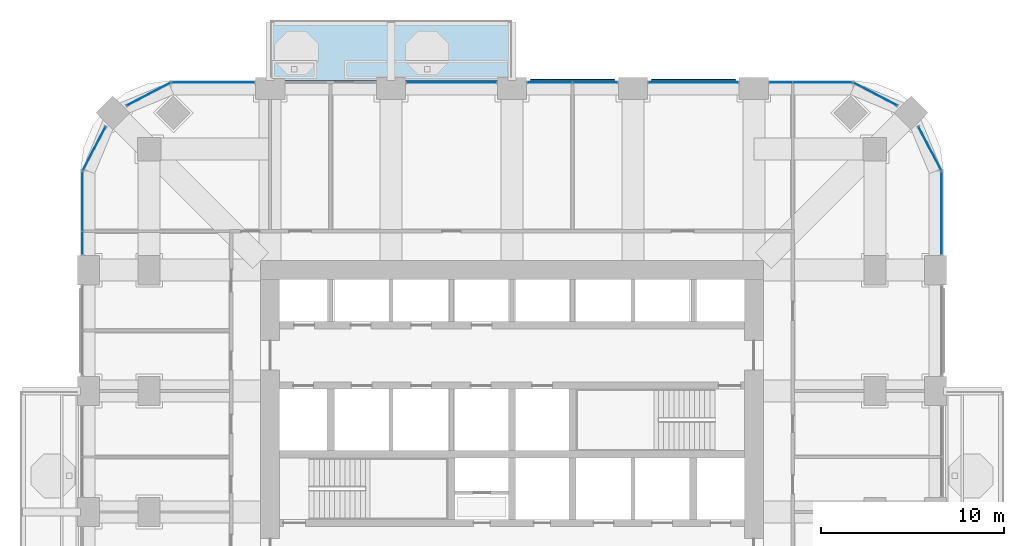
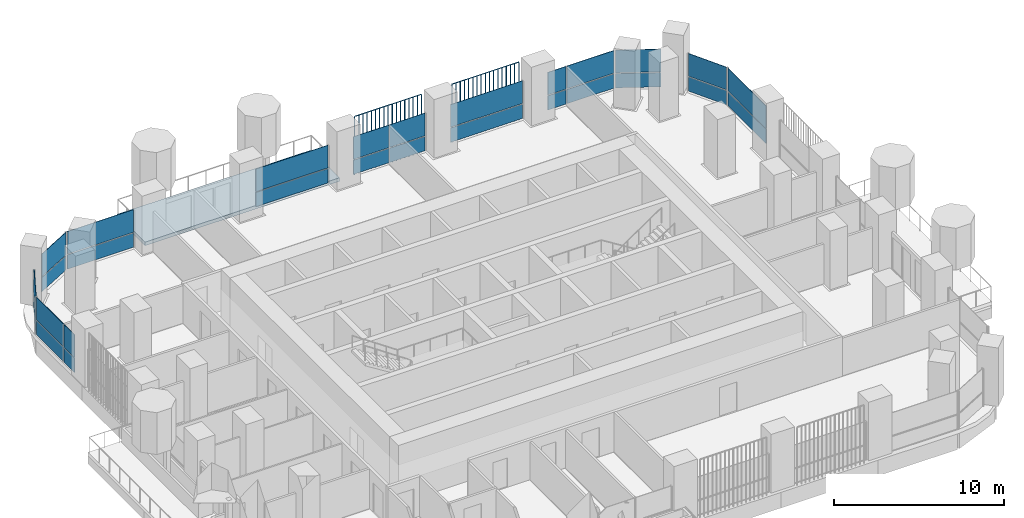
# One storey, part 10 of 19: 30 plates, 1 slab, 11 elements without a shape of their own.
"""IFC4 building model written with IfcOpenShell, lengths in metres."""

from ifc_helpers import new_model, si_unit, direction, frame, origin, origin_2d, place, context, subcontext, project, spatial, polyline, rectangle, outline, extrude, material, layer, layer_set, type_object, element, aggregate, save


model = new_model("IFC4")

# Units and contexts
model_context = context("Model", 3, precision=1e-05, world=origin(), true_north=direction((0.0, 1.0)))
body_context = subcontext(model_context, "Body", "Model", "MODEL_VIEW")
ifc_project = project(units=[si_unit("LENGTHUNIT", "METRE"), si_unit("AREAUNIT", "SQUARE_METRE"), si_unit("VOLUMEUNIT", "CUBIC_METRE"), si_unit("PLANEANGLEUNIT", "RADIAN"), si_unit("MASSUNIT", "GRAM", prefix="KILO")], contexts=[model_context])

# Site, building, storey
site_placement = place(None, origin())
site = spatial("IfcSite", under=ifc_project, at=site_placement, CompositionType="ELEMENT")
building_placement = place(site_placement, origin())
building = spatial("IfcBuilding", under=site, at=building_placement, Name="Cobogo Forest Laboratory Tower", CompositionType="ELEMENT")
storey_placement = place(building_placement, frame((0.0, 0.0, 159.89990234375)))
storey = spatial("IfcBuildingStorey", under=building, at=storey_placement, Name="L36", CompositionType="ELEMENT", Elevation=159.89990234375)

# Slab
ifc_material_1 = material(Name="Concrete HA-40 (C40/50)", Category="concrete")
ifc_layer_1 = layer(ifc_material_1, 0.25)
ifc_layer_set_1 = layer_set([ifc_layer_1], Name="Balcony slab 250")
slab_type = type_object("IfcSlabType", Name="Balcony slab 250", PredefinedType="FLOOR", material=ifc_layer_set_1)
slab_placement = place(storey_placement, frame((0.0, 0.0, -0.25)))
element("IfcSlab", 1, at=slab_placement, inside=storey, type_object=slab_type, Name="Balcony BAL-N1 L36", PredefinedType="FLOOR", context=body_context, shape_type="SweptSolid", body=[
    extrude(outline(polyline([(13.199951171875, 43.35009765625), (26.39990234375, 43.35009765625), (26.39990234375, 46.64990234375), (13.199951171875, 46.64990234375), (13.199951171875, 43.35009765625)])), origin(), (0.0, 0.0, 1.0), 0.25),
])

# Curtain wall, plates
ifc_material_2 = material(Name="Aluminium curtain wall", Category="aluminium")
curtain_wall_type = type_object("IfcCurtainWallType", Name="CW-2 unitised curtain wall, solar control glazing, laboratory floors zones C and D", PredefinedType="USERDEFINED", material=ifc_material_2)
curtain_wall_1_placement = place(storey_placement, origin())
curtain_wall_1 = element("IfcCurtainWall", 2, at=curtain_wall_1_placement, inside=storey, type_object=curtain_wall_type, Name="Curtain wall 13 L36", ObjectType="UNITISED CURTAIN WALL", PredefinedType="USERDEFINED")
ifc_material_3 = material(Name="Solar control insulated glass", Category="glass")
ifc_layer_2 = layer(ifc_material_3, 0.031982421875)
ifc_layer_set_2 = layer_set([ifc_layer_2], Name="GP-2 solar control glass unit 32")
plate_type_1 = type_object("IfcPlateType", Name="GP-2 solar control glass unit 32", PredefinedType="CURTAIN_PANEL", material=ifc_layer_set_2)
plate_1_placement = place(storey_placement, frame((49.85009765625, 36.10009765625, 0.0), z_axis=(0.0, 0.0, 1.0), x_axis=(0.0, 1.0, 0.0)))
plate_1 = element("IfcPlate", 3, at=plate_1_placement, type_object=plate_type_1, Name="CW-2 panel 1.1", PredefinedType="CURTAIN_PANEL", context=body_context, shape_type="SweptSolid", body=[
    extrude(rectangle(XDim=4.47998046875, YDim=0.031982421875, at=origin_2d()), origin(), (0.0, 0.0, 1.0), 1.02001953125),
])
plate_2_placement = place(storey_placement, frame((49.85009765625, 36.10009765625, 1.080078125), z_axis=(0.0, 0.0, 1.0), x_axis=(0.0, 1.0, 0.0)))
plate_2 = element("IfcPlate", 4, at=plate_2_placement, type_object=plate_type_1, Name="CW-2 panel 1.2", PredefinedType="CURTAIN_PANEL", context=body_context, shape_type="SweptSolid", body=[
    extrude(rectangle(XDim=4.47998046875, YDim=0.031982421875, at=origin_2d()), origin(), (0.0, 0.0, 1.0), 1.6201171875),
])
aggregate(curtain_wall_1, [plate_1, plate_2])

curtain_wall_2_placement = place(storey_placement, origin())
curtain_wall_2 = element("IfcCurtainWall", 5, at=curtain_wall_2_placement, inside=storey, type_object=curtain_wall_type, Name="Curtain wall 14 L36", ObjectType="UNITISED CURTAIN WALL", PredefinedType="USERDEFINED")
plate_3_placement = place(storey_placement, frame((49.20556640625, 39.629150390625, 0.0), z_axis=(0.0, 0.0, 1.0), x_axis=(-0.464283685186, 0.885686547075, 0.0)))
plate_3 = element("IfcPlate", 6, at=plate_3_placement, type_object=plate_type_1, Name="CW-2 panel 1.1", PredefinedType="CURTAIN_PANEL", context=body_context, shape_type="SweptSolid", body=[
    extrude(rectangle(XDim=2.655517578125, YDim=0.031982421875, at=origin_2d()), origin(), (0.0, 0.0, 1.0), 1.02001953125),
])
plate_4_placement = place(storey_placement, frame((49.20556640625, 39.629150390625, 1.080078125), z_axis=(0.0, 0.0, 1.0), x_axis=(-0.464283685186, 0.885686547075, 0.0)))
plate_4 = element("IfcPlate", 7, at=plate_4_placement, type_object=plate_type_1, Name="CW-2 panel 1.2", PredefinedType="CURTAIN_PANEL", context=body_context, shape_type="SweptSolid", body=[
    extrude(rectangle(XDim=2.655517578125, YDim=0.031982421875, at=origin_2d()), origin(), (0.0, 0.0, 1.0), 1.6201171875),
])
aggregate(curtain_wall_2, [plate_3, plate_4])

curtain_wall_3_placement = place(storey_placement, origin())
curtain_wall_3 = element("IfcCurtainWall", 8, at=curtain_wall_3_placement, inside=storey, type_object=curtain_wall_type, Name="Curtain wall 15 L36", ObjectType="UNITISED CURTAIN WALL", PredefinedType="USERDEFINED")
plate_5_placement = place(storey_placement, frame((46.229248046875, 42.605712890625, 0.0), z_axis=(0.0, 0.0, 1.0), x_axis=(-0.885686547075, 0.464283685186, 0.0)))
plate_5 = element("IfcPlate", 9, at=plate_5_placement, type_object=plate_type_1, Name="CW-2 panel 1.1", PredefinedType="CURTAIN_PANEL", context=body_context, shape_type="SweptSolid", body=[
    extrude(rectangle(XDim=2.655517578125, YDim=0.031982421875, at=origin_2d()), origin(), (0.0, 0.0, 1.0), 1.02001953125),
])
plate_6_placement = place(storey_placement, frame((46.229248046875, 42.605712890625, 1.080078125), z_axis=(0.0, 0.0, 1.0), x_axis=(-0.885686547075, 0.464283685186, 0.0)))
plate_6 = element("IfcPlate", 10, at=plate_6_placement, type_object=plate_type_1, Name="CW-2 panel 1.2", PredefinedType="CURTAIN_PANEL", context=body_context, shape_type="SweptSolid", body=[
    extrude(rectangle(XDim=2.655517578125, YDim=0.031982421875, at=origin_2d()), origin(), (0.0, 0.0, 1.0), 1.6201171875),
])
aggregate(curtain_wall_3, [plate_5, plate_6])

curtain_wall_4_placement = place(storey_placement, origin())
curtain_wall_4 = element("IfcCurtainWall", 11, at=curtain_wall_4_placement, inside=storey, type_object=curtain_wall_type, Name="Curtain wall 16 L36", ObjectType="UNITISED CURTAIN WALL", PredefinedType="USERDEFINED")
plate_7_placement = place(storey_placement, frame((43.347412109375, 43.25, 0.0), z_axis=(0.0, 0.0, 1.0), x_axis=(-1.0, 0.0, 0.0)))
plate_7 = element("IfcPlate", 12, at=plate_7_placement, type_object=plate_type_1, Name="CW-2 panel 1.1", PredefinedType="CURTAIN_PANEL", context=body_context, shape_type="SweptSolid", body=[
    extrude(rectangle(XDim=3.18505859375, YDim=0.031982421875, at=origin_2d()), origin(), (0.0, 0.0, 1.0), 1.02001953125),
])
plate_8_placement = place(storey_placement, frame((43.347412109375, 43.25, 1.080078125), z_axis=(0.0, 0.0, 1.0), x_axis=(-1.0, 0.0, 0.0)))
plate_8 = element("IfcPlate", 13, at=plate_8_placement, type_object=plate_type_1, Name="CW-2 panel 1.2", PredefinedType="CURTAIN_PANEL", context=body_context, shape_type="SweptSolid", body=[
    extrude(rectangle(XDim=3.18505859375, YDim=0.031982421875, at=origin_2d()), origin(), (0.0, 0.0, 1.0), 1.6201171875),
])
plate_9_placement = place(storey_placement, frame((41.077392578125, 43.25, 0.0), z_axis=(0.0, 0.0, 1.0), x_axis=(-1.0, 0.0, 0.0)))
plate_9 = element("IfcPlate", 14, at=plate_9_placement, type_object=plate_type_1, Name="CW-2 panel 2.1", PredefinedType="CURTAIN_PANEL", context=body_context, shape_type="SweptSolid", body=[
    extrude(rectangle(XDim=1.235107421875, YDim=0.031982421875, at=origin_2d()), origin(), (0.0, 0.0, 1.0), 1.02001953125),
])
plate_10_placement = place(storey_placement, frame((41.077392578125, 43.25, 1.080078125), z_axis=(0.0, 0.0, 1.0), x_axis=(-1.0, 0.0, 0.0)))
plate_10 = element("IfcPlate", 15, at=plate_10_placement, type_object=plate_type_1, Name="CW-2 panel 2.2", PredefinedType="CURTAIN_PANEL", context=body_context, shape_type="SweptSolid", body=[
    extrude(rectangle(XDim=1.235107421875, YDim=0.031982421875, at=origin_2d()), origin(), (0.0, 0.0, 1.0), 1.6201171875),
])
aggregate(curtain_wall_4, [plate_7, plate_8, plate_9, plate_10])

curtain_wall_5_placement = place(storey_placement, origin())
curtain_wall_5 = element("IfcCurtainWall", 16, at=curtain_wall_5_placement, inside=storey, type_object=curtain_wall_type, Name="Curtain wall 17 L36", ObjectType="UNITISED CURTAIN WALL", PredefinedType="USERDEFINED")
plate_11_placement = place(storey_placement, frame((36.300048828125, 43.25, 0.0), z_axis=(0.0, 0.0, 1.0), x_axis=(-1.0, 0.0, 0.0)))
plate_11 = element("IfcPlate", 17, at=plate_11_placement, type_object=plate_type_1, Name="CW-2 panel 1.1", PredefinedType="CURTAIN_PANEL", context=body_context, shape_type="SweptSolid", body=[
    extrude(rectangle(XDim=4.8798828125, YDim=0.031982421875, at=origin_2d()), origin(), (0.0, 0.0, 1.0), 1.02001953125),
])
plate_12_placement = place(storey_placement, frame((36.300048828125, 43.25, 1.080078125), z_axis=(0.0, 0.0, 1.0), x_axis=(-1.0, 0.0, 0.0)))
plate_12 = element("IfcPlate", 18, at=plate_12_placement, type_object=plate_type_1, Name="CW-2 panel 1.2", PredefinedType="CURTAIN_PANEL", context=body_context, shape_type="SweptSolid", body=[
    extrude(rectangle(XDim=4.8798828125, YDim=0.031982421875, at=origin_2d()), origin(), (0.0, 0.0, 1.0), 1.6201171875),
])
aggregate(curtain_wall_5, [plate_11, plate_12])

curtain_wall_6_placement = place(storey_placement, origin())
curtain_wall_6 = element("IfcCurtainWall", 19, at=curtain_wall_6_placement, inside=storey, type_object=curtain_wall_type, Name="Curtain wall 18 L36", ObjectType="UNITISED CURTAIN WALL", PredefinedType="USERDEFINED")
plate_13_placement = place(storey_placement, frame((30.93505859375, 43.25, 0.0), z_axis=(0.0, 0.0, 1.0), x_axis=(-1.0, 0.0, 0.0)))
plate_13 = element("IfcPlate", 20, at=plate_13_placement, type_object=plate_type_1, Name="CW-2 panel 1.1", PredefinedType="CURTAIN_PANEL", context=body_context, shape_type="SweptSolid", body=[
    extrude(rectangle(XDim=2.409912109375, YDim=0.031982421875, at=origin_2d()), origin(), (0.0, 0.0, 1.0), 1.02001953125),
])
plate_14_placement = place(storey_placement, frame((30.93505859375, 43.25, 1.080078125), z_axis=(0.0, 0.0, 1.0), x_axis=(-1.0, 0.0, 0.0)))
plate_14 = element("IfcPlate", 21, at=plate_14_placement, type_object=plate_type_1, Name="CW-2 panel 1.2", PredefinedType="CURTAIN_PANEL", context=body_context, shape_type="SweptSolid", body=[
    extrude(rectangle(XDim=2.409912109375, YDim=0.031982421875, at=origin_2d()), origin(), (0.0, 0.0, 1.0), 1.6201171875),
])
plate_15_placement = place(storey_placement, frame((28.465087890625, 43.25, 0.0), z_axis=(0.0, 0.0, 1.0), x_axis=(-1.0, 0.0, 0.0)))
plate_15 = element("IfcPlate", 22, at=plate_15_placement, type_object=plate_type_1, Name="CW-2 panel 2.1", PredefinedType="CURTAIN_PANEL", context=body_context, shape_type="SweptSolid", body=[
    extrude(rectangle(XDim=2.409912109375, YDim=0.031982421875, at=origin_2d()), origin(), (0.0, 0.0, 1.0), 1.02001953125),
])
plate_16_placement = place(storey_placement, frame((28.465087890625, 43.25, 1.080078125), z_axis=(0.0, 0.0, 1.0), x_axis=(-1.0, 0.0, 0.0)))
plate_16 = element("IfcPlate", 23, at=plate_16_placement, type_object=plate_type_1, Name="CW-2 panel 2.2", PredefinedType="CURTAIN_PANEL", context=body_context, shape_type="SweptSolid", body=[
    extrude(rectangle(XDim=2.409912109375, YDim=0.031982421875, at=origin_2d()), origin(), (0.0, 0.0, 1.0), 1.6201171875),
])
aggregate(curtain_wall_6, [plate_13, plate_14, plate_15, plate_16])

curtain_wall_7_placement = place(storey_placement, origin())
curtain_wall_7 = element("IfcCurtainWall", 24, at=curtain_wall_7_placement, inside=storey, type_object=curtain_wall_type, Name="Curtain wall 19 L36", ObjectType="UNITISED CURTAIN WALL", PredefinedType="USERDEFINED")
plate_17_placement = place(storey_placement, frame((23.10009765625, 43.25, 0.0), z_axis=(0.0, 0.0, 1.0), x_axis=(-1.0, 0.0, 0.0)))
plate_17 = element("IfcPlate", 25, at=plate_17_placement, type_object=plate_type_1, Name="CW-2 panel 1.1", PredefinedType="CURTAIN_PANEL", context=body_context, shape_type="SweptSolid", body=[
    extrude(rectangle(XDim=4.8798828125, YDim=0.031982421875, at=origin_2d()), origin(), (0.0, 0.0, 1.0), 1.02001953125),
])
plate_18_placement = place(storey_placement, frame((23.10009765625, 43.25, 1.080078125), z_axis=(0.0, 0.0, 1.0), x_axis=(-1.0, 0.0, 0.0)))
plate_18 = element("IfcPlate", 26, at=plate_18_placement, type_object=plate_type_1, Name="CW-2 panel 1.2", PredefinedType="CURTAIN_PANEL", context=body_context, shape_type="SweptSolid", body=[
    extrude(rectangle(XDim=4.8798828125, YDim=0.031982421875, at=origin_2d()), origin(), (0.0, 0.0, 1.0), 1.6201171875),
])
aggregate(curtain_wall_7, [plate_17, plate_18])

curtain_wall_8_placement = place(storey_placement, origin())
curtain_wall_8 = element("IfcCurtainWall", 27, at=curtain_wall_8_placement, inside=storey, type_object=curtain_wall_type, Name="Curtain wall 21 L36", ObjectType="UNITISED CURTAIN WALL", PredefinedType="USERDEFINED")
plate_19_placement = place(storey_placement, frame((10.10009765625, 43.25, 0.0), z_axis=(0.0, 0.0, 1.0), x_axis=(-1.0, 0.0, 0.0)))
plate_19 = element("IfcPlate", 28, at=plate_19_placement, type_object=plate_type_1, Name="CW-2 panel 1.1", PredefinedType="CURTAIN_PANEL", context=body_context, shape_type="SweptSolid", body=[
    extrude(rectangle(XDim=4.47998046875, YDim=0.031982421875, at=origin_2d()), origin(), (0.0, 0.0, 1.0), 1.02001953125),
])
plate_20_placement = place(storey_placement, frame((10.10009765625, 43.25, 1.080078125), z_axis=(0.0, 0.0, 1.0), x_axis=(-1.0, 0.0, 0.0)))
plate_20 = element("IfcPlate", 29, at=plate_20_placement, type_object=plate_type_1, Name="CW-2 panel 1.2", PredefinedType="CURTAIN_PANEL", context=body_context, shape_type="SweptSolid", body=[
    extrude(rectangle(XDim=4.47998046875, YDim=0.031982421875, at=origin_2d()), origin(), (0.0, 0.0, 1.0), 1.6201171875),
])
aggregate(curtain_wall_8, [plate_19, plate_20])

curtain_wall_9_placement = place(storey_placement, origin())
curtain_wall_9 = element("IfcCurtainWall", 30, at=curtain_wall_9_placement, inside=storey, type_object=curtain_wall_type, Name="Curtain wall 22 L36", ObjectType="UNITISED CURTAIN WALL", PredefinedType="USERDEFINED")
plate_21_placement = place(storey_placement, frame((6.57080078125, 42.605712890625, 0.0), z_axis=(0.0, 0.0, 1.0), x_axis=(-0.885686547075, -0.464283685186, 0.0)))
plate_21 = element("IfcPlate", 31, at=plate_21_placement, type_object=plate_type_1, Name="CW-2 panel 1.1", PredefinedType="CURTAIN_PANEL", context=body_context, shape_type="SweptSolid", body=[
    extrude(rectangle(XDim=2.655517578125, YDim=0.031982421875, at=origin_2d()), origin(), (0.0, 0.0, 1.0), 1.02001953125),
])
plate_22_placement = place(storey_placement, frame((6.57080078125, 42.605712890625, 1.080078125), z_axis=(0.0, 0.0, 1.0), x_axis=(-0.885686547075, -0.464283685186, 0.0)))
plate_22 = element("IfcPlate", 32, at=plate_22_placement, type_object=plate_type_1, Name="CW-2 panel 1.2", PredefinedType="CURTAIN_PANEL", context=body_context, shape_type="SweptSolid", body=[
    extrude(rectangle(XDim=2.655517578125, YDim=0.031982421875, at=origin_2d()), origin(), (0.0, 0.0, 1.0), 1.6201171875),
])
aggregate(curtain_wall_9, [plate_21, plate_22])

curtain_wall_10_placement = place(storey_placement, origin())
curtain_wall_10 = element("IfcCurtainWall", 33, at=curtain_wall_10_placement, inside=storey, type_object=curtain_wall_type, Name="Curtain wall 23 L36", ObjectType="UNITISED CURTAIN WALL", PredefinedType="USERDEFINED")
plate_23_placement = place(storey_placement, frame((3.59423828125, 39.629150390625, 0.0), z_axis=(0.0, 0.0, 1.0), x_axis=(-0.464283685186, -0.885686547075, 0.0)))
plate_23 = element("IfcPlate", 34, at=plate_23_placement, type_object=plate_type_1, Name="CW-2 panel 1.1", PredefinedType="CURTAIN_PANEL", context=body_context, shape_type="SweptSolid", body=[
    extrude(rectangle(XDim=2.655517578125, YDim=0.031982421875, at=origin_2d()), origin(), (0.0, 0.0, 1.0), 1.02001953125),
])
plate_24_placement = place(storey_placement, frame((3.59423828125, 39.629150390625, 1.080078125), z_axis=(0.0, 0.0, 1.0), x_axis=(-0.464283685186, -0.885686547075, 0.0)))
plate_24 = element("IfcPlate", 35, at=plate_24_placement, type_object=plate_type_1, Name="CW-2 panel 1.2", PredefinedType="CURTAIN_PANEL", context=body_context, shape_type="SweptSolid", body=[
    extrude(rectangle(XDim=2.655517578125, YDim=0.031982421875, at=origin_2d()), origin(), (0.0, 0.0, 1.0), 1.6201171875),
])
aggregate(curtain_wall_10, [plate_23, plate_24])

curtain_wall_11_placement = place(storey_placement, origin())
curtain_wall_11 = element("IfcCurtainWall", 36, at=curtain_wall_11_placement, inside=storey, type_object=curtain_wall_type, Name="Curtain wall 24 L36", ObjectType="UNITISED CURTAIN WALL", PredefinedType="USERDEFINED")
plate_25_placement = place(storey_placement, frame((2.949951171875, 36.74755859375, 0.0), z_axis=(0.0, 0.0, 1.0), x_axis=(0.0, -1.0, 0.0)))
plate_25 = element("IfcPlate", 37, at=plate_25_placement, type_object=plate_type_1, Name="CW-2 panel 1.1", PredefinedType="CURTAIN_PANEL", context=body_context, shape_type="SweptSolid", body=[
    extrude(rectangle(XDim=3.18505859375, YDim=0.031982421875, at=origin_2d()), origin(), (0.0, 0.0, 1.0), 1.02001953125),
])
plate_26_placement = place(storey_placement, frame((2.949951171875, 36.74755859375, 1.080078125), z_axis=(0.0, 0.0, 1.0), x_axis=(0.0, -1.0, 0.0)))
plate_26 = element("IfcPlate", 38, at=plate_26_placement, type_object=plate_type_1, Name="CW-2 panel 1.2", PredefinedType="CURTAIN_PANEL", context=body_context, shape_type="SweptSolid", body=[
    extrude(rectangle(XDim=3.18505859375, YDim=0.031982421875, at=origin_2d()), origin(), (0.0, 0.0, 1.0), 1.6201171875),
])
plate_27_placement = place(storey_placement, frame((2.949951171875, 34.4775390625, 0.0), z_axis=(0.0, 0.0, 1.0), x_axis=(0.0, -1.0, 0.0)))
plate_27 = element("IfcPlate", 39, at=plate_27_placement, type_object=plate_type_1, Name="CW-2 panel 2.1", PredefinedType="CURTAIN_PANEL", context=body_context, shape_type="SweptSolid", body=[
    extrude(rectangle(XDim=1.235107421875, YDim=0.031982421875, at=origin_2d()), origin(), (0.0, 0.0, 1.0), 1.02001953125),
])
plate_28_placement = place(storey_placement, frame((2.949951171875, 34.4775390625, 1.080078125), z_axis=(0.0, 0.0, 1.0), x_axis=(0.0, -1.0, 0.0)))
plate_28 = element("IfcPlate", 40, at=plate_28_placement, type_object=plate_type_1, Name="CW-2 panel 2.2", PredefinedType="CURTAIN_PANEL", context=body_context, shape_type="SweptSolid", body=[
    extrude(rectangle(XDim=1.235107421875, YDim=0.031982421875, at=origin_2d()), origin(), (0.0, 0.0, 1.0), 1.6201171875),
])
aggregate(curtain_wall_11, [plate_25, plate_26, plate_27, plate_28])

# Plates
ifc_material_4 = material(Name="Terracotta", Category="masonry")
plate_type_2 = type_object("IfcPlateType", Name="TB1 terracotta baguette screen", PredefinedType="USERDEFINED", material=ifc_material_4)
plate_29_placement = place(storey_placement, frame((27.43115234375, 43.3779296875, -0.14990234375)))
element("IfcPlate", 41, at=plate_29_placement, inside=storey, type_object=plate_type_2, Name="Baguette screen N3 L36", ObjectType="BAGUETTE SCREEN", PredefinedType="USERDEFINED", context=body_context, shape_type="SweptSolid", body=[
    extrude(outline(polyline([(0.02880859375, 0.011962890625), (0.011962890625, 0.02880859375), (-0.011962890625, 0.02880859375), (-0.02880859375, 0.011962890625), (-0.02880859375, -0.011962890625), (-0.011962890625, -0.02880859375), (0.011962890625, -0.02880859375), (0.02880859375, -0.011962890625), (0.02880859375, 0.011962890625)])), frame((0.0, 0.0, 4.168701171875), z_axis=(1.0, 0.0, 0.0), x_axis=(0.0, 1.0, 0.0)), (0.0, 0.0, 1.0), 4.53759765625),
    extrude(outline(polyline([(0.02880859375, 0.011962890625), (0.011962890625, 0.02880859375), (-0.011962890625, 0.02880859375), (-0.02880859375, 0.011962890625), (-0.02880859375, -0.011962890625), (-0.011962890625, -0.02880859375), (0.011962890625, -0.02880859375), (0.02880859375, -0.011962890625), (0.02880859375, 0.011962890625)])), origin(), (0.0, 0.0, 1.0), 4.137451171875),
    extrude(outline(polyline([(0.02880859375, 0.011962890625), (0.011962890625, 0.02880859375), (-0.011962890625, 0.02880859375), (-0.02880859375, 0.011962890625), (-0.02880859375, -0.011962890625), (-0.011962890625, -0.02880859375), (0.011962890625, -0.02880859375), (0.02880859375, -0.011962890625), (0.02880859375, 0.011962890625)])), frame((0.28369140625, 0.0, 0.0)), (0.0, 0.0, 1.0), 4.137451171875),
    extrude(outline(polyline([(0.02880859375, 0.011962890625), (0.011962890625, 0.02880859375), (-0.011962890625, 0.02880859375), (-0.02880859375, 0.011962890625), (-0.02880859375, -0.011962890625), (-0.011962890625, -0.02880859375), (0.011962890625, -0.02880859375), (0.02880859375, -0.011962890625), (0.02880859375, 0.011962890625)])), frame((0.567138671875, 0.0, 0.0)), (0.0, 0.0, 1.0), 4.137451171875),
    extrude(outline(polyline([(0.02880859375, 0.011962890625), (0.011962890625, 0.02880859375), (-0.011962890625, 0.02880859375), (-0.02880859375, 0.011962890625), (-0.02880859375, -0.011962890625), (-0.011962890625, -0.02880859375), (0.011962890625, -0.02880859375), (0.02880859375, -0.011962890625), (0.02880859375, 0.011962890625)])), frame((0.850830078125, 0.0, 0.0)), (0.0, 0.0, 1.0), 4.137451171875),
    extrude(outline(polyline([(0.02880859375, 0.011962890625), (0.011962890625, 0.02880859375), (-0.011962890625, 0.02880859375), (-0.02880859375, 0.011962890625), (-0.02880859375, -0.011962890625), (-0.011962890625, -0.02880859375), (0.011962890625, -0.02880859375), (0.02880859375, -0.011962890625), (0.02880859375, 0.011962890625)])), frame((1.13427734375, 0.0, 0.0)), (0.0, 0.0, 1.0), 4.137451171875),
    extrude(outline(polyline([(0.02880859375, 0.011962890625), (0.011962890625, 0.02880859375), (-0.011962890625, 0.02880859375), (-0.02880859375, 0.011962890625), (-0.02880859375, -0.011962890625), (-0.011962890625, -0.02880859375), (0.011962890625, -0.02880859375), (0.02880859375, -0.011962890625), (0.02880859375, 0.011962890625)])), frame((1.41796875, 0.0, 0.0)), (0.0, 0.0, 1.0), 4.137451171875),
    extrude(outline(polyline([(0.02880859375, 0.011962890625), (0.011962890625, 0.02880859375), (-0.011962890625, 0.02880859375), (-0.02880859375, 0.011962890625), (-0.02880859375, -0.011962890625), (-0.011962890625, -0.02880859375), (0.011962890625, -0.02880859375), (0.02880859375, -0.011962890625), (0.02880859375, 0.011962890625)])), frame((1.70166015625, 0.0, 0.0)), (0.0, 0.0, 1.0), 4.137451171875),
    extrude(outline(polyline([(0.02880859375, 0.011962890625), (0.011962890625, 0.02880859375), (-0.011962890625, 0.02880859375), (-0.02880859375, 0.011962890625), (-0.02880859375, -0.011962890625), (-0.011962890625, -0.02880859375), (0.011962890625, -0.02880859375), (0.02880859375, -0.011962890625), (0.02880859375, 0.011962890625)])), frame((1.985107421875, 0.0, 0.0)), (0.0, 0.0, 1.0), 4.137451171875),
    extrude(outline(polyline([(0.02880859375, 0.011962890625), (0.011962890625, 0.02880859375), (-0.011962890625, 0.02880859375), (-0.02880859375, 0.011962890625), (-0.02880859375, -0.011962890625), (-0.011962890625, -0.02880859375), (0.011962890625, -0.02880859375), (0.02880859375, -0.011962890625), (0.02880859375, 0.011962890625)])), frame((2.268798828125, 0.0, 0.0)), (0.0, 0.0, 1.0), 4.137451171875),
    extrude(outline(polyline([(0.02880859375, 0.011962890625), (0.011962890625, 0.02880859375), (-0.011962890625, 0.02880859375), (-0.02880859375, 0.011962890625), (-0.02880859375, -0.011962890625), (-0.011962890625, -0.02880859375), (0.011962890625, -0.02880859375), (0.02880859375, -0.011962890625), (0.02880859375, 0.011962890625)])), frame((2.552490234375, 0.0, 0.0)), (0.0, 0.0, 1.0), 4.137451171875),
    extrude(outline(polyline([(0.02880859375, 0.011962890625), (0.011962890625, 0.02880859375), (-0.011962890625, 0.02880859375), (-0.02880859375, 0.011962890625), (-0.02880859375, -0.011962890625), (-0.011962890625, -0.02880859375), (0.011962890625, -0.02880859375), (0.02880859375, -0.011962890625), (0.02880859375, 0.011962890625)])), frame((2.8359375, 0.0, 0.0)), (0.0, 0.0, 1.0), 4.137451171875),
    extrude(outline(polyline([(0.02880859375, 0.011962890625), (0.011962890625, 0.02880859375), (-0.011962890625, 0.02880859375), (-0.02880859375, 0.011962890625), (-0.02880859375, -0.011962890625), (-0.011962890625, -0.02880859375), (0.011962890625, -0.02880859375), (0.02880859375, -0.011962890625), (0.02880859375, 0.011962890625)])), frame((3.11962890625, 0.0, 0.0)), (0.0, 0.0, 1.0), 4.137451171875),
    extrude(outline(polyline([(0.02880859375, 0.011962890625), (0.011962890625, 0.02880859375), (-0.011962890625, 0.02880859375), (-0.02880859375, 0.011962890625), (-0.02880859375, -0.011962890625), (-0.011962890625, -0.02880859375), (0.011962890625, -0.02880859375), (0.02880859375, -0.011962890625), (0.02880859375, 0.011962890625)])), frame((3.4033203125, 0.0, 0.0)), (0.0, 0.0, 1.0), 4.137451171875),
    extrude(outline(polyline([(0.02880859375, 0.011962890625), (0.011962890625, 0.02880859375), (-0.011962890625, 0.02880859375), (-0.02880859375, 0.011962890625), (-0.02880859375, -0.011962890625), (-0.011962890625, -0.02880859375), (0.011962890625, -0.02880859375), (0.02880859375, -0.011962890625), (0.02880859375, 0.011962890625)])), frame((3.686767578125, 0.0, 0.0)), (0.0, 0.0, 1.0), 4.137451171875),
    extrude(outline(polyline([(0.02880859375, 0.011962890625), (0.011962890625, 0.02880859375), (-0.011962890625, 0.02880859375), (-0.02880859375, 0.011962890625), (-0.02880859375, -0.011962890625), (-0.011962890625, -0.02880859375), (0.011962890625, -0.02880859375), (0.02880859375, -0.011962890625), (0.02880859375, 0.011962890625)])), frame((3.970458984375, 0.0, 0.0)), (0.0, 0.0, 1.0), 4.137451171875),
    extrude(outline(polyline([(0.02880859375, 0.011962890625), (0.011962890625, 0.02880859375), (-0.011962890625, 0.02880859375), (-0.02880859375, 0.011962890625), (-0.02880859375, -0.011962890625), (-0.011962890625, -0.02880859375), (0.011962890625, -0.02880859375), (0.02880859375, -0.011962890625), (0.02880859375, 0.011962890625)])), frame((4.25390625, 0.0, 0.0)), (0.0, 0.0, 1.0), 4.137451171875),
    extrude(outline(polyline([(0.02880859375, 0.011962890625), (0.011962890625, 0.02880859375), (-0.011962890625, 0.02880859375), (-0.02880859375, 0.011962890625), (-0.02880859375, -0.011962890625), (-0.011962890625, -0.02880859375), (0.011962890625, -0.02880859375), (0.02880859375, -0.011962890625), (0.02880859375, 0.011962890625)])), frame((4.53759765625, 0.0, 0.0)), (0.0, 0.0, 1.0), 4.137451171875),
])
plate_30_placement = place(storey_placement, frame((34.03125, 43.3779296875, -0.14990234375)))
element("IfcPlate", 42, at=plate_30_placement, inside=storey, type_object=plate_type_2, Name="Baguette screen N4 L36", ObjectType="BAGUETTE SCREEN", PredefinedType="USERDEFINED", context=body_context, shape_type="SweptSolid", body=[
    extrude(outline(polyline([(0.02880859375, 0.011962890625), (0.011962890625, 0.02880859375), (-0.011962890625, 0.02880859375), (-0.02880859375, 0.011962890625), (-0.02880859375, -0.011962890625), (-0.011962890625, -0.02880859375), (0.011962890625, -0.02880859375), (0.02880859375, -0.011962890625), (0.02880859375, 0.011962890625)])), frame((0.0, 0.0, 4.168701171875), z_axis=(1.0, 0.0, 0.0), x_axis=(0.0, 1.0, 0.0)), (0.0, 0.0, 1.0), 4.53759765625),
    extrude(outline(polyline([(0.02880859375, 0.011962890625), (0.011962890625, 0.02880859375), (-0.011962890625, 0.02880859375), (-0.02880859375, 0.011962890625), (-0.02880859375, -0.011962890625), (-0.011962890625, -0.02880859375), (0.011962890625, -0.02880859375), (0.02880859375, -0.011962890625), (0.02880859375, 0.011962890625)])), origin(), (0.0, 0.0, 1.0), 4.137451171875),
    extrude(outline(polyline([(0.02880859375, 0.011962890625), (0.011962890625, 0.02880859375), (-0.011962890625, 0.02880859375), (-0.02880859375, 0.011962890625), (-0.02880859375, -0.011962890625), (-0.011962890625, -0.02880859375), (0.011962890625, -0.02880859375), (0.02880859375, -0.011962890625), (0.02880859375, 0.011962890625)])), frame((0.28369140625, 0.0, 0.0)), (0.0, 0.0, 1.0), 4.137451171875),
    extrude(outline(polyline([(0.02880859375, 0.011962890625), (0.011962890625, 0.02880859375), (-0.011962890625, 0.02880859375), (-0.02880859375, 0.011962890625), (-0.02880859375, -0.011962890625), (-0.011962890625, -0.02880859375), (0.011962890625, -0.02880859375), (0.02880859375, -0.011962890625), (0.02880859375, 0.011962890625)])), frame((0.567138671875, 0.0, 0.0)), (0.0, 0.0, 1.0), 4.137451171875),
    extrude(outline(polyline([(0.02880859375, 0.011962890625), (0.011962890625, 0.02880859375), (-0.011962890625, 0.02880859375), (-0.02880859375, 0.011962890625), (-0.02880859375, -0.011962890625), (-0.011962890625, -0.02880859375), (0.011962890625, -0.02880859375), (0.02880859375, -0.011962890625), (0.02880859375, 0.011962890625)])), frame((0.850830078125, 0.0, 0.0)), (0.0, 0.0, 1.0), 4.137451171875),
    extrude(outline(polyline([(0.02880859375, 0.011962890625), (0.011962890625, 0.02880859375), (-0.011962890625, 0.02880859375), (-0.02880859375, 0.011962890625), (-0.02880859375, -0.011962890625), (-0.011962890625, -0.02880859375), (0.011962890625, -0.02880859375), (0.02880859375, -0.011962890625), (0.02880859375, 0.011962890625)])), frame((1.13427734375, 0.0, 0.0)), (0.0, 0.0, 1.0), 4.137451171875),
    extrude(outline(polyline([(0.02880859375, 0.011962890625), (0.011962890625, 0.02880859375), (-0.011962890625, 0.02880859375), (-0.02880859375, 0.011962890625), (-0.02880859375, -0.011962890625), (-0.011962890625, -0.02880859375), (0.011962890625, -0.02880859375), (0.02880859375, -0.011962890625), (0.02880859375, 0.011962890625)])), frame((1.41796875, 0.0, 0.0)), (0.0, 0.0, 1.0), 4.137451171875),
    extrude(outline(polyline([(0.02880859375, 0.011962890625), (0.011962890625, 0.02880859375), (-0.011962890625, 0.02880859375), (-0.02880859375, 0.011962890625), (-0.02880859375, -0.011962890625), (-0.011962890625, -0.02880859375), (0.011962890625, -0.02880859375), (0.02880859375, -0.011962890625), (0.02880859375, 0.011962890625)])), frame((1.70166015625, 0.0, 0.0)), (0.0, 0.0, 1.0), 4.137451171875),
    extrude(outline(polyline([(0.02880859375, 0.011962890625), (0.011962890625, 0.02880859375), (-0.011962890625, 0.02880859375), (-0.02880859375, 0.011962890625), (-0.02880859375, -0.011962890625), (-0.011962890625, -0.02880859375), (0.011962890625, -0.02880859375), (0.02880859375, -0.011962890625), (0.02880859375, 0.011962890625)])), frame((1.985107421875, 0.0, 0.0)), (0.0, 0.0, 1.0), 4.137451171875),
    extrude(outline(polyline([(0.02880859375, 0.011962890625), (0.011962890625, 0.02880859375), (-0.011962890625, 0.02880859375), (-0.02880859375, 0.011962890625), (-0.02880859375, -0.011962890625), (-0.011962890625, -0.02880859375), (0.011962890625, -0.02880859375), (0.02880859375, -0.011962890625), (0.02880859375, 0.011962890625)])), frame((2.268798828125, 0.0, 0.0)), (0.0, 0.0, 1.0), 4.137451171875),
    extrude(outline(polyline([(0.02880859375, 0.011962890625), (0.011962890625, 0.02880859375), (-0.011962890625, 0.02880859375), (-0.02880859375, 0.011962890625), (-0.02880859375, -0.011962890625), (-0.011962890625, -0.02880859375), (0.011962890625, -0.02880859375), (0.02880859375, -0.011962890625), (0.02880859375, 0.011962890625)])), frame((2.552490234375, 0.0, 0.0)), (0.0, 0.0, 1.0), 4.137451171875),
    extrude(outline(polyline([(0.02880859375, 0.011962890625), (0.011962890625, 0.02880859375), (-0.011962890625, 0.02880859375), (-0.02880859375, 0.011962890625), (-0.02880859375, -0.011962890625), (-0.011962890625, -0.02880859375), (0.011962890625, -0.02880859375), (0.02880859375, -0.011962890625), (0.02880859375, 0.011962890625)])), frame((2.8359375, 0.0, 0.0)), (0.0, 0.0, 1.0), 4.137451171875),
    extrude(outline(polyline([(0.02880859375, 0.011962890625), (0.011962890625, 0.02880859375), (-0.011962890625, 0.02880859375), (-0.02880859375, 0.011962890625), (-0.02880859375, -0.011962890625), (-0.011962890625, -0.02880859375), (0.011962890625, -0.02880859375), (0.02880859375, -0.011962890625), (0.02880859375, 0.011962890625)])), frame((3.11962890625, 0.0, 0.0)), (0.0, 0.0, 1.0), 4.137451171875),
    extrude(outline(polyline([(0.02880859375, 0.011962890625), (0.011962890625, 0.02880859375), (-0.011962890625, 0.02880859375), (-0.02880859375, 0.011962890625), (-0.02880859375, -0.011962890625), (-0.011962890625, -0.02880859375), (0.011962890625, -0.02880859375), (0.02880859375, -0.011962890625), (0.02880859375, 0.011962890625)])), frame((3.4033203125, 0.0, 0.0)), (0.0, 0.0, 1.0), 4.137451171875),
    extrude(outline(polyline([(0.02880859375, 0.011962890625), (0.011962890625, 0.02880859375), (-0.011962890625, 0.02880859375), (-0.02880859375, 0.011962890625), (-0.02880859375, -0.011962890625), (-0.011962890625, -0.02880859375), (0.011962890625, -0.02880859375), (0.02880859375, -0.011962890625), (0.02880859375, 0.011962890625)])), frame((3.686767578125, 0.0, 0.0)), (0.0, 0.0, 1.0), 4.137451171875),
    extrude(outline(polyline([(0.02880859375, 0.011962890625), (0.011962890625, 0.02880859375), (-0.011962890625, 0.02880859375), (-0.02880859375, 0.011962890625), (-0.02880859375, -0.011962890625), (-0.011962890625, -0.02880859375), (0.011962890625, -0.02880859375), (0.02880859375, -0.011962890625), (0.02880859375, 0.011962890625)])), frame((3.970458984375, 0.0, 0.0)), (0.0, 0.0, 1.0), 4.137451171875),
    extrude(outline(polyline([(0.02880859375, 0.011962890625), (0.011962890625, 0.02880859375), (-0.011962890625, 0.02880859375), (-0.02880859375, 0.011962890625), (-0.02880859375, -0.011962890625), (-0.011962890625, -0.02880859375), (0.011962890625, -0.02880859375), (0.02880859375, -0.011962890625), (0.02880859375, 0.011962890625)])), frame((4.25390625, 0.0, 0.0)), (0.0, 0.0, 1.0), 4.137451171875),
    extrude(outline(polyline([(0.02880859375, 0.011962890625), (0.011962890625, 0.02880859375), (-0.011962890625, 0.02880859375), (-0.02880859375, 0.011962890625), (-0.02880859375, -0.011962890625), (-0.011962890625, -0.02880859375), (0.011962890625, -0.02880859375), (0.02880859375, -0.011962890625), (0.02880859375, 0.011962890625)])), frame((4.53759765625, 0.0, 0.0)), (0.0, 0.0, 1.0), 4.137451171875),
])

save(model, "model.ifc")
